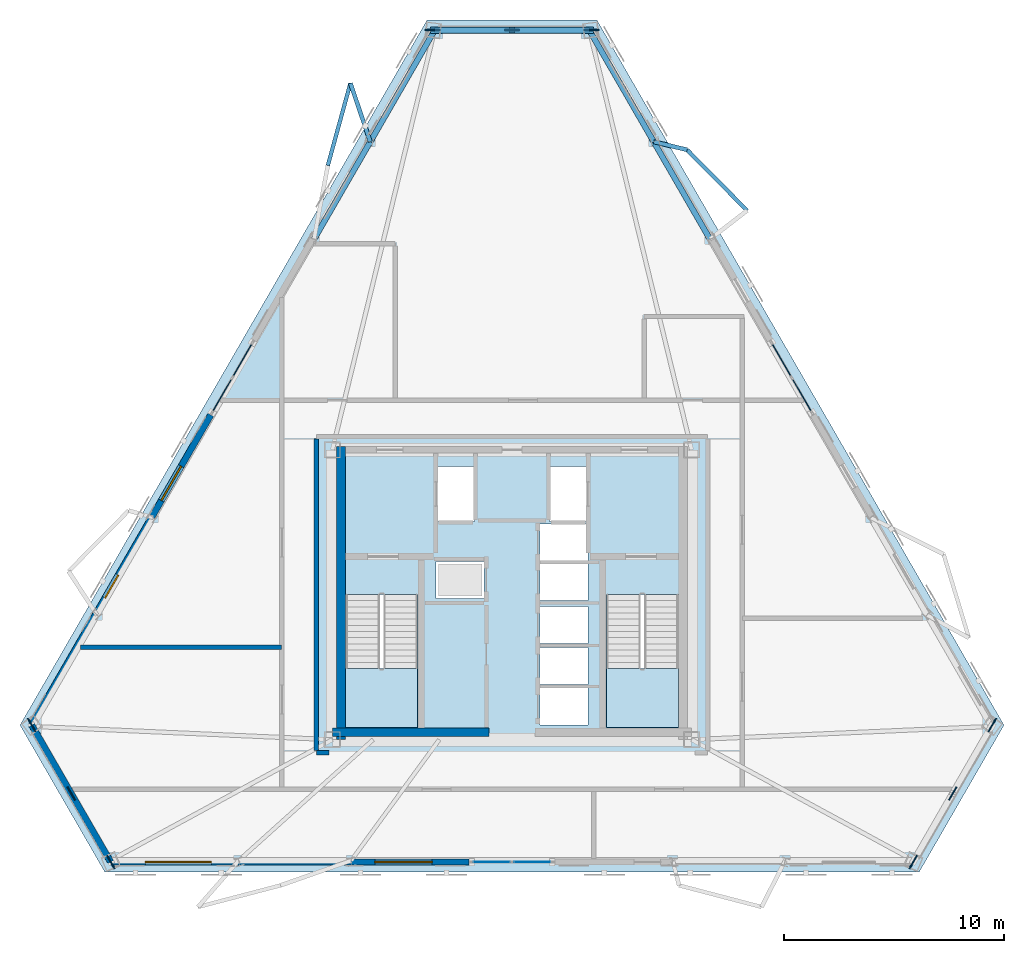
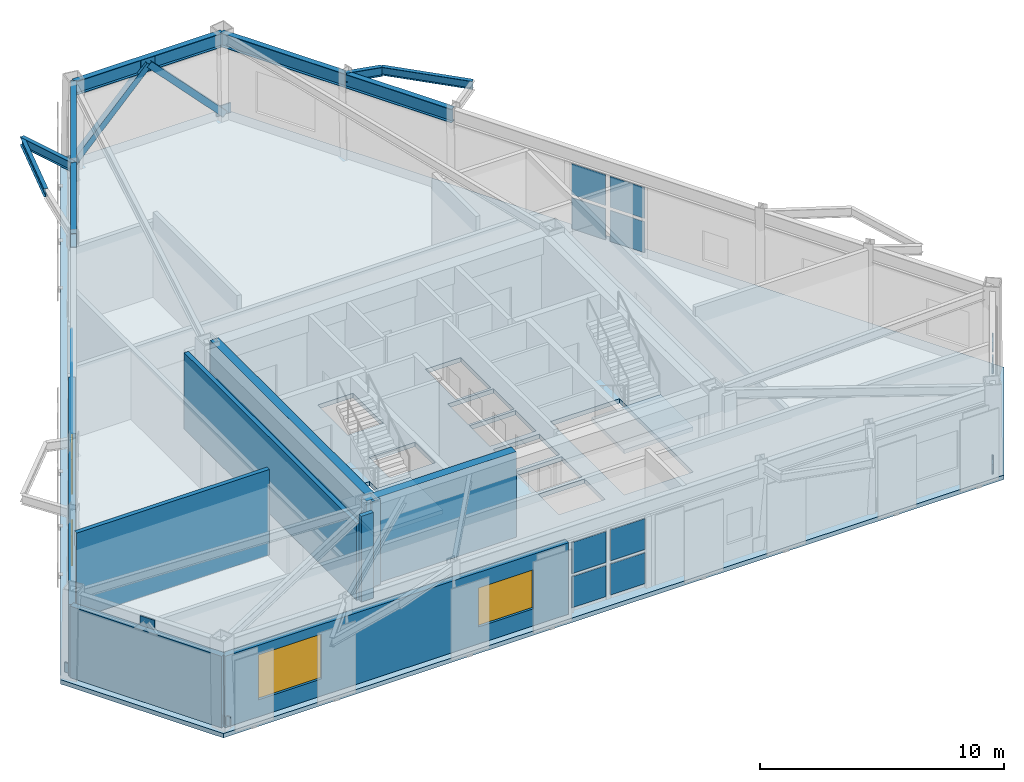
# One storey, part 7 of 14: 21 plates, 9 beams, 8 walls, 4 windows, 3 slabs, 2 members, 4 openings, 5 elements without a shape of their own.
"""IFC4 building model written with IfcOpenShell, lengths in metres."""

from ifc_helpers import new_model, si_unit, direction, frame, frame_2d, origin, origin_2d, place, context, subcontext, project, spatial, polyline, rectangle, hollow_rectangle, i_section, outline, extrude, material, layer, layer_set, material_profile, profile_set, type_object, element, fill, aggregate, save


model = new_model("IFC4")

# Units and contexts
model_context = context("Model", 3, precision=1e-05, world=origin(), true_north=direction((0.0, 1.0)))
body_context = subcontext(model_context, "Body", "Model", "MODEL_VIEW")
ifc_project = project(units=[si_unit("LENGTHUNIT", "METRE"), si_unit("AREAUNIT", "SQUARE_METRE"), si_unit("VOLUMEUNIT", "CUBIC_METRE"), si_unit("PLANEANGLEUNIT", "RADIAN"), si_unit("MASSUNIT", "GRAM", prefix="KILO")], contexts=[model_context])

# Site, building, storey
site_placement = place(None, origin())
site = spatial("IfcSite", under=ifc_project, at=site_placement, CompositionType="ELEMENT")
building_placement = place(site_placement, origin())
building = spatial("IfcBuilding", under=site, at=building_placement, Name="Oramaril Tower", CompositionType="ELEMENT")
storey_placement = place(building_placement, frame((0.0, 0.0, 204.60009765625)))
storey = spatial("IfcBuildingStorey", under=building, at=storey_placement, Name="L54", CompositionType="ELEMENT", Elevation=204.60009765625)

# Beams
ifc_material_1 = material(Name="Steel ASTM A572 Gr 50", Category="steel")
ifc_material_profile_1 = material_profile(ifc_material_1, i_section(OverallWidth=0.19091796875, OverallDepth=0.45703125, WebThickness=0.009033203125, FlangeThickness=0.014404296875, at=origin_2d()), Name="W18X50")
ifc_profile_set_1 = profile_set([ifc_material_profile_1], Name="Steel ASTM A572 Gr 50")
beam_type_1 = type_object("IfcBeamType", Name="BT-BB1", PredefinedType="BEAM", material=ifc_profile_set_1)
beam_1_placement = place(storey_placement, frame((43.9296875, 38.12890625, 4.051513671875), z_axis=(0.971561624267, -0.236786845605, 0.0), x_axis=(0.236786845605, 0.971561624267, 0.0)))
element("IfcBeam", 1, at=beam_1_placement, inside=storey, type_object=beam_type_1, Name="L54 Balcony Column-Framed Cantilever 04.2", PredefinedType="BEAM", context=body_context, shape_type="SweptSolid", body=[
    extrude(i_section(OverallWidth=0.19091796875, OverallDepth=0.45703125, WebThickness=0.009033203125, FlangeThickness=0.014404296875, at=origin_2d()), origin(), (0.0, 0.0, 1.0), 1.56005859375),
])
beam_2_placement = place(storey_placement, frame((31.0703125, 38.12890625, 4.051513671875), z_axis=(-0.321762188991, 0.946820518227, 0.0), x_axis=(-0.946820518227, -0.321762188991, 0.0)))
element("IfcBeam", 2, at=beam_2_placement, inside=storey, type_object=beam_type_1, Name="L54 Balcony Column-Framed Cantilever 05.1", PredefinedType="BEAM", context=body_context, shape_type="SweptSolid", body=[
    extrude(i_section(OverallWidth=0.19091796875, OverallDepth=0.45703125, WebThickness=0.009033203125, FlangeThickness=0.014404296875, at=origin_2d()), origin(), (0.0, 0.0, 1.0), 2.802978515625),
])
ifc_material_2 = material(Name="Steel ASTM A572 Gr 50", Category="steel")
ifc_material_profile_2 = material_profile(ifc_material_2, i_section(OverallWidth=0.177978515625, OverallDepth=0.404052734375, WebThickness=0.007568359375, FlangeThickness=0.010986328125, at=origin_2d()), Name="W16X36")
ifc_profile_set_2 = profile_set([ifc_material_profile_2], Name="Steel ASTM A572 Gr 50")
beam_type_2 = type_object("IfcBeamType", Name="BT-SB1", PredefinedType="BEAM", material=ifc_profile_set_2)
for number, where, z_axis, x_axis, name in (
    (3, (48.166015625, 35.007080078125, 4.077880859375), (-0.702994511648, 0.71119527318, 0.0), (-0.71119527318, -0.702994511648, 0.0), "L54 Balcony Edge Tie Beam 04"),
    (4, (30.16845703125, 40.78271484375, 4.077880859375), (-0.264440915482, -0.964401888332, 0.0), (0.964401888332, -0.264440915482, 0.0), "L54 Balcony Edge Tie Beam 05"),
):
    element("IfcBeam", number, at=place(storey_placement, frame(where, z_axis=z_axis, x_axis=x_axis)), inside=storey, type_object=beam_type_2, Name=name, PredefinedType="BEAM", context=body_context, shape_type="SweptSolid", body=[
        extrude(i_section(OverallWidth=0.177978515625, OverallDepth=0.404052734375, WebThickness=0.007568359375, FlangeThickness=0.010986328125, at=origin_2d()), origin(), (0.0, 0.0, 1.0), 3.8701171875),
    ])
ifc_material_3 = material(Name="Steel ASTM A572 Gr 50", Category="steel")
ifc_material_profile_3 = material_profile(ifc_material_3, i_section(OverallWidth=0.257080078125, OverallDepth=0.693115234375, WebThickness=0.014404296875, FlangeThickness=0.023681640625, at=origin_2d()), Name="W27X114")
ifc_profile_set_3 = profile_set([ifc_material_profile_3], Name="Steel ASTM A572 Gr 50")
beam_type_3 = type_object("IfcBeamType", Name="BT-SP4", PredefinedType="SPANDREL", material=ifc_profile_set_3)
beam_3_placement = place(storey_placement, frame((46.482421875, 33.70751953125, 3.933349609375), z_axis=(-0.5000066933, 0.866021539371, 0.0), x_axis=(-0.866021539371, -0.5000066933, 0.0)))
element("IfcBeam", 5, at=beam_3_placement, inside=storey, type_object=beam_type_3, Name="L54 Perimeter Spandrel 11", PredefinedType="SPANDREL", context=body_context, shape_type="SweptSolid", body=[
    extrude(i_section(OverallWidth=0.257080078125, OverallDepth=0.693115234375, WebThickness=0.014404296875, FlangeThickness=0.023681640625, at=origin_2d()), origin(), (0.0, 0.0, 1.0), 5.10546875),
])
beam_4_placement = place(storey_placement, frame((43.9296875, 38.12890625, 3.933349609375), z_axis=(-0.500018247791, 0.866014868161, 0.0), x_axis=(-0.866014868161, -0.500018247791, 0.0)))
element("IfcBeam", 6, at=beam_4_placement, inside=storey, type_object=beam_type_3, Name="L54 Perimeter Spandrel 12", PredefinedType="SPANDREL", context=body_context, shape_type="SweptSolid", body=[
    extrude(i_section(OverallWidth=0.257080078125, OverallDepth=0.693115234375, WebThickness=0.014404296875, FlangeThickness=0.023681640625, at=origin_2d()), origin(), (0.0, 0.0, 1.0), 5.834716796875),
])
beam_5_placement = place(storey_placement, frame((41.01220703125, 43.181884765625, 3.933349609375), z_axis=(-1.0, 0.0, 0.0), x_axis=(0.0, -1.0, 0.0)))
element("IfcBeam", 7, at=beam_5_placement, inside=storey, type_object=beam_type_3, Name="L54 Perimeter Spandrel 13", PredefinedType="SPANDREL", context=body_context, shape_type="SweptSolid", body=[
    extrude(i_section(OverallWidth=0.257080078125, OverallDepth=0.693115234375, WebThickness=0.014404296875, FlangeThickness=0.023681640625, at=origin_2d()), origin(), (0.0, 0.0, 1.0), 7.0244140625),
])
beam_6_placement = place(storey_placement, frame((33.98779296875, 43.181884765625, 3.933349609375), z_axis=(-0.500018247791, -0.866014868161, 0.0), x_axis=(0.866014868161, -0.500018247791, 0.0)))
element("IfcBeam", 8, at=beam_6_placement, inside=storey, type_object=beam_type_3, Name="L54 Perimeter Spandrel 14", PredefinedType="SPANDREL", context=body_context, shape_type="SweptSolid", body=[
    extrude(i_section(OverallWidth=0.257080078125, OverallDepth=0.693115234375, WebThickness=0.014404296875, FlangeThickness=0.023681640625, at=origin_2d()), origin(), (0.0, 0.0, 1.0), 5.834716796875),
])
beam_7_placement = place(storey_placement, frame((31.0703125, 38.12890625, 3.933349609375), z_axis=(-0.5000066933, -0.866021539371, 0.0), x_axis=(0.866021539371, -0.5000066933, 0.0)))
element("IfcBeam", 9, at=beam_7_placement, inside=storey, type_object=beam_type_3, Name="L54 Perimeter Spandrel 15", PredefinedType="SPANDREL", context=body_context, shape_type="SweptSolid", body=[
    extrude(i_section(OverallWidth=0.257080078125, OverallDepth=0.693115234375, WebThickness=0.014404296875, FlangeThickness=0.023681640625, at=origin_2d()), origin(), (0.0, 0.0, 1.0), 5.10546875),
])

# Members
ifc_material_4 = material(Name="Steel ASTM A572 Gr 50", Category="steel")
ifc_material_profile_4 = material_profile(ifc_material_4, hollow_rectangle(XDim=0.300048828125, YDim=0.300048828125, WallThickness=0.01611328125, at=origin_2d()), Name="HSS300X300X16")
ifc_profile_set_4 = profile_set([ifc_material_profile_4], Name="Steel ASTM A572 Gr 50")
member_type = type_object("IfcMemberType", Name="MT-KB2", PredefinedType="BRACE", material=ifc_profile_set_4)
for number, where, z_axis, x_axis, name in (
    (10, (41.08544921875, 43.191162109375, 0.179931640625), (-0.690741938014, 0.0, 0.723101358779), (0.0, -1.0, 0.0), "L54 Perimeter Chevron Brace KB-3A"),
    (11, (33.91455078125, 43.191162109375, 0.179931640625), (0.690741938014, 0.0, 0.723101358779), (0.0, 1.0, 0.0), "L54 Perimeter Chevron Brace KB-3B"),
):
    element("IfcMember", number, at=place(storey_placement, frame(where, z_axis=z_axis, x_axis=x_axis)), inside=storey, type_object=member_type, Name=name, PredefinedType="BRACE", context=body_context, shape_type="SweptSolid", body=[
        extrude(hollow_rectangle(XDim=0.300048828125, YDim=0.300048828125, WallThickness=0.01611328125, at=origin_2d()), origin(), (0.0, 0.0, 1.0), 5.190673828125),
    ])

# Curtain wall, plates
ifc_material_5 = material(Name="Anodised Aluminium 6063-T6", Category="aluminium")
ifc_layer_1 = layer(ifc_material_5, 0.219970703125)
ifc_layer_set_1 = layer_set([ifc_layer_1], Name="CWT-SYS5")
curtain_wall_type = type_object("IfcCurtainWallType", Name="CWT-SYS5", PredefinedType="NOTDEFINED", material=ifc_layer_set_1)
curtain_wall_1_placement = place(storey_placement, origin())
curtain_wall_1 = element("IfcCurtainWall", 12, at=curtain_wall_1_placement, inside=storey, type_object=curtain_wall_type, Name="L54 Unitised Curtain Wall CW-5", PredefinedType="NOTDEFINED")
ifc_material_6 = material(Name="Coastal Low-E Insulated Glass", Category="glass")
ifc_layer_2 = layer(ifc_material_6, 0.0400390625)
ifc_layer_set_2 = layer_set([ifc_layer_2], Name="PLT-CWP4")
plate_type_1 = type_object("IfcPlateType", Name="PLT-CWP4", PredefinedType="CURTAIN_PANEL", material=ifc_layer_set_2)
plate_1_placement = place(storey_placement, frame((36.580078125, 5.44921875, 0.15966796875), z_axis=(0.0, 0.0, 1.0), x_axis=(1.0, 0.0, 0.0)))
plate_1 = element("IfcPlate", 13, at=plate_1_placement, type_object=plate_type_1, Name="CW-5 panel 1.1", PredefinedType="CURTAIN_PANEL", context=body_context, shape_type="SweptSolid", body=[
    extrude(rectangle(XDim=1.6201171875, YDim=0.0400390625, at=origin_2d()), origin(), (0.0, 0.0, 1.0), 1.548583984375),
])
plate_2_placement = place(storey_placement, frame((36.580078125, 5.44921875, 1.8681640625), z_axis=(0.0, 0.0, 1.0), x_axis=(1.0, 0.0, 0.0)))
plate_2 = element("IfcPlate", 14, at=plate_2_placement, type_object=plate_type_1, Name="CW-5 panel 1.2", PredefinedType="CURTAIN_PANEL", context=body_context, shape_type="SweptSolid", body=[
    extrude(rectangle(XDim=1.6201171875, YDim=0.0400390625, at=origin_2d()), origin(), (0.0, 0.0, 1.0), 1.548583984375),
])
plate_3_placement = place(storey_placement, frame((38.419921875, 5.44921875, 0.15966796875), z_axis=(0.0, 0.0, 1.0), x_axis=(1.0, 0.0, 0.0)))
plate_3 = element("IfcPlate", 15, at=plate_3_placement, type_object=plate_type_1, Name="CW-5 panel 2.1", PredefinedType="CURTAIN_PANEL", context=body_context, shape_type="SweptSolid", body=[
    extrude(rectangle(XDim=1.6201171875, YDim=0.0400390625, at=origin_2d()), origin(), (0.0, 0.0, 1.0), 1.548583984375),
])
plate_4_placement = place(storey_placement, frame((38.419921875, 5.44921875, 1.8681640625), z_axis=(0.0, 0.0, 1.0), x_axis=(1.0, 0.0, 0.0)))
plate_4 = element("IfcPlate", 16, at=plate_4_placement, type_object=plate_type_1, Name="CW-5 panel 2.2", PredefinedType="CURTAIN_PANEL", context=body_context, shape_type="SweptSolid", body=[
    extrude(rectangle(XDim=1.6201171875, YDim=0.0400390625, at=origin_2d()), origin(), (0.0, 0.0, 1.0), 1.548583984375),
])
aggregate(curtain_wall_1, [plate_1, plate_2, plate_3, plate_4])

curtain_wall_2_placement = place(storey_placement, origin())
curtain_wall_2 = element("IfcCurtainWall", 17, at=curtain_wall_2_placement, inside=storey, type_object=curtain_wall_type, Name="L54 Unitised Curtain Wall CW-5", PredefinedType="NOTDEFINED")
plate_5_placement = place(storey_placement, frame((50.64794921875, 26.628662109375, 0.15966796875), z_axis=(0.0, 0.0, 1.0), x_axis=(-0.499999897278, 0.866025463091, 0.0)))
plate_5 = element("IfcPlate", 18, at=plate_5_placement, type_object=plate_type_1, Name="CW-5 panel 1.1", PredefinedType="CURTAIN_PANEL", context=body_context, shape_type="SweptSolid", body=[
    extrude(rectangle(XDim=1.6201171875, YDim=0.0400390625, at=origin_2d()), origin(), (0.0, 0.0, 1.0), 1.548583984375),
])
plate_6_placement = place(storey_placement, frame((50.64794921875, 26.628662109375, 1.8681640625), z_axis=(0.0, 0.0, 1.0), x_axis=(-0.499999897278, 0.866025463091, 0.0)))
plate_6 = element("IfcPlate", 19, at=plate_6_placement, type_object=plate_type_1, Name="CW-5 panel 1.2", PredefinedType="CURTAIN_PANEL", context=body_context, shape_type="SweptSolid", body=[
    extrude(rectangle(XDim=1.6201171875, YDim=0.0400390625, at=origin_2d()), origin(), (0.0, 0.0, 1.0), 1.548583984375),
])
plate_7_placement = place(storey_placement, frame((49.727783203125, 28.22216796875, 0.15966796875), z_axis=(0.0, 0.0, 1.0), x_axis=(-0.499999897278, 0.866025463091, 0.0)))
plate_7 = element("IfcPlate", 20, at=plate_7_placement, type_object=plate_type_1, Name="CW-5 panel 2.1", PredefinedType="CURTAIN_PANEL", context=body_context, shape_type="SweptSolid", body=[
    extrude(rectangle(XDim=1.6201171875, YDim=0.0400390625, at=origin_2d()), origin(), (0.0, 0.0, 1.0), 1.548583984375),
])
plate_8_placement = place(storey_placement, frame((49.727783203125, 28.22216796875, 1.8681640625), z_axis=(0.0, 0.0, 1.0), x_axis=(-0.499999897278, 0.866025463091, 0.0)))
plate_8 = element("IfcPlate", 21, at=plate_8_placement, type_object=plate_type_1, Name="CW-5 panel 2.2", PredefinedType="CURTAIN_PANEL", context=body_context, shape_type="SweptSolid", body=[
    extrude(rectangle(XDim=1.6201171875, YDim=0.0400390625, at=origin_2d()), origin(), (0.0, 0.0, 1.0), 1.548583984375),
])
aggregate(curtain_wall_2, [plate_5, plate_6, plate_7, plate_8])

curtain_wall_3_placement = place(storey_placement, origin())
curtain_wall_3 = element("IfcCurtainWall", 22, at=curtain_wall_3_placement, inside=storey, type_object=curtain_wall_type, Name="L54 Unitised Curtain Wall CW-5", PredefinedType="NOTDEFINED")
plate_9_placement = place(storey_placement, frame((25.272216796875, 28.22216796875, 0.15966796875), z_axis=(0.0, 0.0, 1.0), x_axis=(-0.499999897278, -0.866025463091, 0.0)))
plate_9 = element("IfcPlate", 23, at=plate_9_placement, type_object=plate_type_1, Name="CW-5 panel 1.1", PredefinedType="CURTAIN_PANEL", context=body_context, shape_type="SweptSolid", body=[
    extrude(rectangle(XDim=1.6201171875, YDim=0.0400390625, at=origin_2d()), origin(), (0.0, 0.0, 1.0), 1.548583984375),
])
plate_10_placement = place(storey_placement, frame((25.272216796875, 28.22216796875, 1.8681640625), z_axis=(0.0, 0.0, 1.0), x_axis=(-0.499999897278, -0.866025463091, 0.0)))
plate_10 = element("IfcPlate", 24, at=plate_10_placement, type_object=plate_type_1, Name="CW-5 panel 1.2", PredefinedType="CURTAIN_PANEL", context=body_context, shape_type="SweptSolid", body=[
    extrude(rectangle(XDim=1.6201171875, YDim=0.0400390625, at=origin_2d()), origin(), (0.0, 0.0, 1.0), 1.548583984375),
])
plate_11_placement = place(storey_placement, frame((24.35205078125, 26.628662109375, 0.15966796875), z_axis=(0.0, 0.0, 1.0), x_axis=(-0.499999897278, -0.866025463091, 0.0)))
plate_11 = element("IfcPlate", 25, at=plate_11_placement, type_object=plate_type_1, Name="CW-5 panel 2.1", PredefinedType="CURTAIN_PANEL", context=body_context, shape_type="SweptSolid", body=[
    extrude(rectangle(XDim=1.6201171875, YDim=0.0400390625, at=origin_2d()), origin(), (0.0, 0.0, 1.0), 1.548583984375),
])
plate_12_placement = place(storey_placement, frame((24.35205078125, 26.628662109375, 1.8681640625), z_axis=(0.0, 0.0, 1.0), x_axis=(-0.499999897278, -0.866025463091, 0.0)))
plate_12 = element("IfcPlate", 26, at=plate_12_placement, type_object=plate_type_1, Name="CW-5 panel 2.2", PredefinedType="CURTAIN_PANEL", context=body_context, shape_type="SweptSolid", body=[
    extrude(rectangle(XDim=1.6201171875, YDim=0.0400390625, at=origin_2d()), origin(), (0.0, 0.0, 1.0), 1.548583984375),
])
aggregate(curtain_wall_3, [plate_9, plate_10, plate_11, plate_12])

# Plates
ifc_material_7 = material(Name="Steel ASTM A572 Gr 50", Category="steel")
ifc_layer_3 = layer(ifc_material_7, 0.06005859375)
ifc_layer_set_3 = layer_set([ifc_layer_3], Name="PLT-G60")
plate_type_2 = type_object("IfcPlateType", Name="PLT-G60", PredefinedType="USERDEFINED", material=ifc_layer_set_3)
for number, where, z_axis, x_axis, name in (
    (27, (17.50244140625, 8.554443359375, 3.693359375), (0.0, 0.0, 1.0), (0.4999984885, -0.866026276448, 0.0), "L54 Chevron Brace Gusset Plate BN-1"),
    (28, (15.709716796875, 11.65966796875, 0.099853515625), (0.0, 0.0, 1.0), (0.4999984885, -0.866026276448, 0.0), "L54 Chevron Brace Gusset Plate BN-1"),
    (29, (19.295166015625, 5.44921875, 0.099853515625), (0.0, 0.0, 1.0), (0.4999984885, -0.866026276448, 0.0), "L54 Chevron Brace Gusset Plate BN-1"),
    (30, (57.49755859375, 8.554443359375, 3.693359375), (0.0, 0.0, 1.0), (0.4999984885, 0.866026276448, 0.0), "L54 Chevron Brace Gusset Plate BN-1"),
    (31, (55.704833984375, 5.44921875, 0.099853515625), (0.0, 0.0, 1.0), (0.4999984885, 0.866026276448, 0.0), "L54 Chevron Brace Gusset Plate BN-1"),
    (32, (59.290283203125, 11.65966796875, 0.099853515625), (0.0, 0.0, 1.0), (0.4999984885, 0.866026276448, 0.0), "L54 Chevron Brace Gusset Plate BN-1"),
    (33, (37.5, 43.191162109375, 3.693359375), (0.0, 0.0, 1.0), (-1.0, 0.0, 0.0), "L54 Chevron Brace Gusset Plate BN-1"),
    (34, (41.08544921875, 43.191162109375, 0.099853515625), (0.0, 0.0, 1.0), (-1.0, 0.0, 0.0), "L54 Chevron Brace Gusset Plate BN-1"),
    (35, (33.91455078125, 43.191162109375, 0.099853515625), (0.0, 0.0, 1.0), (-1.0, 0.0, 0.0), "L54 Chevron Brace Gusset Plate BN-1"),
):
    element("IfcPlate", number, at=place(storey_placement, frame(where, z_axis=z_axis, x_axis=x_axis)), inside=storey, type_object=plate_type_2, Name=name, ObjectType="GUSSET", PredefinedType="USERDEFINED", context=body_context, shape_type="SweptSolid", body=[
        extrude(rectangle(XDim=0.679931640625, YDim=0.06005859375, at=origin_2d()), origin(), (0.0, 0.0, 1.0), 0.47998046875),
    ])

# Slab
ifc_material_8 = material(Name="Concrete C50/60", Category="concrete")
ifc_layer_4 = layer(ifc_material_8, 0.219970703125)
ifc_layer_set_4 = layer_set([ifc_layer_4], Name="SLT-FLR22")
slab_type_1 = type_object("IfcSlabType", Name="SLT-FLR22", PredefinedType="FLOOR", material=ifc_layer_set_4)
slab_1_placement = place(storey_placement, frame((0.0, 0.0, -0.22021484375)))
element("IfcSlab", 36, at=slab_1_placement, inside=storey, type_object=slab_type_1, Name="L54 Structural Floor Slab", PredefinedType="FLOOR", context=body_context, shape_type="SweptSolid", body=[
    extrude(outline(polyline([(15.178466796875, 11.65966796875), (19.029541015625, 4.9892578125), (55.970458984375, 4.9892578125), (59.821533203125, 11.65966796875), (41.35107421875, 43.651123046875), (33.64892578125, 43.651123046875), (15.178466796875, 11.65966796875)]), holes=[polyline([(29.949951171875, 17.58935546875), (29.949951171875, 11.550048828125), (33.219970703125, 11.550048828125), (33.219970703125, 17.58935546875), (29.949951171875, 17.58935546875)]), polyline([(41.780029296875, 17.58935546875), (41.780029296875, 11.550048828125), (45.050048828125, 11.550048828125), (45.050048828125, 17.58935546875), (41.780029296875, 17.58935546875)]), polyline([(34.110107421875, 20.909912109375), (35.7900390625, 20.909912109375), (35.7900390625, 23.389892578125), (34.110107421875, 23.389892578125), (34.110107421875, 20.909912109375)]), polyline([(39.2099609375, 20.909912109375), (40.889892578125, 20.909912109375), (40.889892578125, 23.389892578125), (39.2099609375, 23.389892578125), (39.2099609375, 20.909912109375)]), polyline([(38.760009765625, 11.659912109375), (40.93994140625, 11.659912109375), (40.93994140625, 13.340087890625), (38.760009765625, 13.340087890625), (38.760009765625, 11.659912109375)]), polyline([(38.760009765625, 13.510009765625), (40.93994140625, 13.510009765625), (40.93994140625, 15.18994140625), (38.760009765625, 15.18994140625), (38.760009765625, 13.510009765625)]), polyline([(38.760009765625, 15.360107421875), (40.93994140625, 15.360107421875), (40.93994140625, 17.0400390625), (38.760009765625, 17.0400390625), (38.760009765625, 15.360107421875)]), polyline([(34.06005859375, 17.409912109375), (36.239990234375, 17.409912109375), (36.239990234375, 19.090087890625), (34.06005859375, 19.090087890625), (34.06005859375, 17.409912109375)]), polyline([(38.760009765625, 17.31005859375), (40.93994140625, 17.31005859375), (40.93994140625, 18.989990234375), (38.760009765625, 18.989990234375), (38.760009765625, 17.31005859375)]), polyline([(38.760009765625, 19.110107421875), (40.93994140625, 19.110107421875), (40.93994140625, 20.7900390625), (38.760009765625, 20.7900390625), (38.760009765625, 19.110107421875)])]), origin(), (0.0, 0.0, 1.0), 0.22021484375),
])

# Stair, slab
ifc_material_9 = material(Name="Concrete C50/60", Category="concrete")
stair_type = type_object("IfcStairType", Name="STT-DG-4500", PredefinedType="HALF_TURN_STAIR", material=ifc_material_9)
stair_1_placement = place(storey_placement, origin())
stair_1 = element("IfcStair", 37, at=stair_1_placement, inside=storey, type_object=stair_type, Name="L54 Protected PFP Exit Stair ST-1", PredefinedType="HALF_TURN_STAIR")
ifc_material_10 = material(Name="Concrete C50/60", Category="concrete")
ifc_layer_5 = layer(ifc_material_10, 0.199951171875)
ifc_layer_set_5 = layer_set([ifc_layer_5], Name="SLT-LND20")
slab_type_2 = type_object("IfcSlabType", Name="SLT-LND20", PredefinedType="LANDING", material=ifc_layer_set_5)
slab_2_placement = place(storey_placement, frame((0.0, 0.0, 2.0498046875)))
slab_2 = element("IfcSlab", 38, at=slab_2_placement, type_object=slab_type_2, Name="ST-1 landing 1", PredefinedType="LANDING", context=body_context, shape_type="SweptSolid", body=[
    extrude(outline(polyline([(29.949951171875, 14.22998046875), (29.949951171875, 11.550048828125), (33.219970703125, 11.550048828125), (33.219970703125, 14.22998046875), (29.949951171875, 14.22998046875)])), origin(), (0.0, 0.0, 1.0), 0.2001953125),
])
aggregate(stair_1, [slab_2])

stair_2_placement = place(storey_placement, origin())
stair_2 = element("IfcStair", 39, at=stair_2_placement, inside=storey, type_object=stair_type, Name="L54 Protected PFP Exit Stair ST-2", PredefinedType="HALF_TURN_STAIR")
slab_3_placement = place(storey_placement, frame((0.0, 0.0, 2.0498046875)))
slab_3 = element("IfcSlab", 40, at=slab_3_placement, type_object=slab_type_2, Name="ST-2 landing 1", PredefinedType="LANDING", context=body_context, shape_type="SweptSolid", body=[
    extrude(outline(polyline([(41.780029296875, 14.22998046875), (41.780029296875, 11.550048828125), (45.050048828125, 11.550048828125), (45.050048828125, 14.22998046875), (41.780029296875, 14.22998046875)])), origin(), (0.0, 0.0, 1.0), 0.2001953125),
])
aggregate(stair_2, [slab_3])

# Wall
ifc_material_11 = material(Name="Warm Cream Limestone", Category="masonry")
ifc_layer_6 = layer(ifc_material_11, 0.2900390625)
ifc_layer_set_6 = layer_set([ifc_layer_6], Name="WT-EXT29")
wall_type_1 = type_object("IfcWallType", Name="WT-EXT29", PredefinedType="SOLIDWALL", material=ifc_layer_set_6)
wall_1_placement = place(storey_placement, frame((15.709716796875, 11.65966796875, 0.0), z_axis=(0.0, 0.0, 1.0), x_axis=(0.499983756713, -0.866034781647, 0.0)))
element("IfcWall", 41, at=wall_1_placement, inside=storey, type_object=wall_type_1, Name="L54 Tower Limestone Facade Wall 1M", PredefinedType="SOLIDWALL", context=body_context, shape_type="SweptSolid", body=[
    extrude(rectangle(XDim=7.171142578125, YDim=0.2900390625, at=frame_2d((3.58544921875, 0.0))), origin(), (0.0, 0.0, 1.0), 3.576904296875),
])

# Wall, openings, windows
wall_2_placement = place(storey_placement, frame((19.295166015625, 5.44921875, 0.0), z_axis=(0.0, 0.0, 1.0), x_axis=(1.0, 0.0, 0.0)))
wall_2 = element("IfcWall", 42, at=wall_2_placement, inside=storey, type_object=wall_type_1, Name="L54 Tower Limestone Facade Wall 2L", PredefinedType="SOLIDWALL", context=body_context, shape_type="SweptSolid", body=[
    extrude(rectangle(XDim=16.2548828125, YDim=0.2900390625, at=frame_2d((8.12744140625, 0.0))), origin(), (0.0, 0.0, 1.0), 3.576904296875),
])
opening_1_placement = place(wall_2_placement, frame((1.5693359375, 0.0, 0.85009765625)))
opening_1 = element("IfcOpeningElement", 43, at=opening_1_placement, cuts=wall_2, Name="Opening WN-10", PredefinedType="OPENING", context=body_context, shape_type="SweptSolid", body=[
    extrude(rectangle(XDim=3.0, YDim=2.25, at=frame_2d((1.5, 1.125))), frame((0.0, 0.14501953125, 0.0), z_axis=(0.0, -1.0, 0.0), x_axis=(1.0, 0.0, 0.0)), (0.0, 0.0, 1.0), 0.2900390625),
])
opening_2_placement = place(wall_2_placement, frame((11.9853515625, 0.0, 0.85009765625)))
opening_2 = element("IfcOpeningElement", 44, at=opening_2_placement, cuts=wall_2, Name="Opening WN-02", PredefinedType="OPENING", context=body_context, shape_type="SweptSolid", body=[
    extrude(rectangle(XDim=2.60009765625, YDim=1.949951171875, at=frame_2d((1.300048828125, 0.97509765625))), frame((0.0, 0.14501953125, 0.0), z_axis=(0.0, -1.0, 0.0), x_axis=(1.0, 0.0, 0.0)), (0.0, 0.0, 1.0), 0.2900390625),
])
ifc_material_12 = material(Name="Coastal Low-E Insulated Glass", Category="glass")
window_type_1 = type_object("IfcWindowType", Name="WNT-02", PartitioningType="SINGLE_PANEL", PredefinedType="WINDOW", material=ifc_material_12)
window_1_placement = place(opening_2_placement, origin())
window_1 = element("IfcWindow", 45, at=window_1_placement, inside=storey, type_object=window_type_1, Name="L54 Chicago Bay Window WN-02", OverallHeight=1.949951171875, OverallWidth=2.60009765625, PartitioningType="SINGLE_PANEL", PredefinedType="WINDOW", context=body_context, shape_type="SweptSolid", body=[
    extrude(rectangle(XDim=2.60009765625, YDim=1.949951171875, at=frame_2d((1.300048828125, 0.97509765625))), frame((0.0, 0.030029296875, 0.0), z_axis=(0.0, -1.0, 0.0), x_axis=(1.0, 0.0, 0.0)), (0.0, 0.0, 1.0), 0.06005859375),
])
fill(opening_2, window_1)
ifc_material_13 = material(Name="Coastal Low-E Insulated Glass", Category="glass")
window_type_2 = type_object("IfcWindowType", Name="WNT-10", PartitioningType="SINGLE_PANEL", PredefinedType="WINDOW", material=ifc_material_13)
window_2_placement = place(opening_1_placement, origin())
window_2 = element("IfcWindow", 46, at=window_2_placement, inside=storey, type_object=window_type_2, Name="L54 Chicago Bay Window WN-10", OverallHeight=2.25, OverallWidth=3.0, PartitioningType="SINGLE_PANEL", PredefinedType="WINDOW", context=body_context, shape_type="SweptSolid", body=[
    extrude(rectangle(XDim=3.0, YDim=2.25, at=frame_2d((1.5, 1.125))), frame((0.0, 0.030029296875, 0.0), z_axis=(0.0, -1.0, 0.0), x_axis=(1.0, 0.0, 0.0)), (0.0, 0.0, 1.0), 0.06005859375),
])
fill(opening_1, window_2)

wall_3_placement = place(storey_placement, frame((23.837158203125, 25.736572265625, 0.0), z_axis=(0.0, 0.0, 1.0), x_axis=(-0.500006317603, -0.866021756284, 0.0)))
wall_3 = element("IfcWall", 47, at=wall_3_placement, inside=storey, type_object=wall_type_1, Name="L54 Tower Limestone Facade Wall 6R", PredefinedType="SOLIDWALL", context=body_context, shape_type="SweptSolid", body=[
    extrude(rectangle(XDim=16.254638671875, YDim=0.2900390625, at=frame_2d((8.12744140625, 0.0))), origin(), (0.0, 0.0, 1.0), 3.576904296875),
])
opening_3_placement = place(wall_3_placement, frame((2.688232421875, 0.0, 0.85009765625)))
opening_3 = element("IfcOpeningElement", 48, at=opening_3_placement, cuts=wall_3, Name="Opening WN-06", PredefinedType="OPENING", context=body_context, shape_type="SweptSolid", body=[
    extrude(rectangle(XDim=1.800048828125, YDim=1.75, at=frame_2d((0.89990234375, 0.875))), frame((0.0, 0.14501953125, 0.0), z_axis=(0.0, -1.0, 0.0), x_axis=(1.0, 0.0, 0.0)), (0.0, 0.0, 1.0), 0.2900390625),
])
opening_4_placement = place(wall_3_placement, frame((8.3955078125, 0.0, 0.85009765625)))
opening_4 = element("IfcOpeningElement", 49, at=opening_4_placement, cuts=wall_3, Name="Opening WN-09", PredefinedType="OPENING", context=body_context, shape_type="SweptSolid", body=[
    extrude(rectangle(XDim=1.199951171875, YDim=1.47998046875, at=frame_2d((0.60009765625, 0.739990234375))), frame((0.0, 0.14501953125, 0.0), z_axis=(0.0, -1.0, 0.0), x_axis=(1.0, 0.0, 0.0)), (0.0, 0.0, 1.0), 0.2900390625),
])
ifc_material_14 = material(Name="Coastal Low-E Insulated Glass", Category="glass")
window_type_3 = type_object("IfcWindowType", Name="WNT-06", PartitioningType="SINGLE_PANEL", PredefinedType="WINDOW", material=ifc_material_14)
window_3_placement = place(opening_3_placement, origin())
window_3 = element("IfcWindow", 50, at=window_3_placement, inside=storey, type_object=window_type_3, Name="L54 Chicago Bay Window WN-06", OverallHeight=1.75, OverallWidth=1.800048828125, PartitioningType="SINGLE_PANEL", PredefinedType="WINDOW", context=body_context, shape_type="SweptSolid", body=[
    extrude(rectangle(XDim=1.800048828125, YDim=1.75, at=frame_2d((0.89990234375, 0.875))), frame((0.0, 0.030029296875, 0.0), z_axis=(0.0, -1.0, 0.0), x_axis=(1.0, 0.0, 0.0)), (0.0, 0.0, 1.0), 0.06005859375),
])
fill(opening_3, window_3)
ifc_material_15 = material(Name="Coastal Low-E Insulated Glass", Category="glass")
window_type_4 = type_object("IfcWindowType", Name="WNT-09", PartitioningType="SINGLE_PANEL", PredefinedType="WINDOW", material=ifc_material_15)
window_4_placement = place(opening_4_placement, origin())
window_4 = element("IfcWindow", 51, at=window_4_placement, inside=storey, type_object=window_type_4, Name="L54 Chicago Bay Window WN-09", OverallHeight=1.47998046875, OverallWidth=1.199951171875, PartitioningType="SINGLE_PANEL", PredefinedType="WINDOW", context=body_context, shape_type="SweptSolid", body=[
    extrude(rectangle(XDim=1.199951171875, YDim=1.47998046875, at=frame_2d((0.60009765625, 0.739990234375))), frame((0.0, 0.030029296875, 0.0), z_axis=(0.0, -1.0, 0.0), x_axis=(1.0, 0.0, 0.0)), (0.0, 0.0, 1.0), 0.06005859375),
])
fill(opening_4, window_4)

# Walls
ifc_material_16 = material(Name="Autoclaved Cellular Concrete Block", Category="concrete")
ifc_layer_7 = layer(ifc_material_16, 0.199951171875)
ifc_layer_set_7 = layer_set([ifc_layer_7], Name="WT-PT20")
wall_type_2 = type_object("IfcWallType", Name="WT-PT20", PredefinedType="PARTITIONING", material=ifc_layer_set_7)
wall_4_placement = place(storey_placement, frame((28.6201171875, 10.39990234375, 0.0), z_axis=(0.0, 0.0, 1.0), x_axis=(1.0, 0.0, 0.0)))
element("IfcWall", 52, at=wall_4_placement, inside=storey, type_object=wall_type_2, Name="L54 Interior Partition PT-20", PredefinedType="PARTITIONING", context=body_context, shape_type="SweptSolid", body=[
    extrude(rectangle(XDim=0.579833984375, YDim=0.199951171875, at=frame_2d((0.2900390625, 0.0))), origin(), (0.0, 0.0, 1.0), 4.27978515625),
])
wall_5_placement = place(storey_placement, frame((17.92578125, 15.199951171875, 0.0), z_axis=(0.0, 0.0, 1.0), x_axis=(1.0, 0.0, 0.0)))
element("IfcWall", 53, at=wall_5_placement, inside=storey, type_object=wall_type_2, Name="L54 Interior Partition PT-20", PredefinedType="PARTITIONING", context=body_context, shape_type="SweptSolid", body=[
    extrude(rectangle(XDim=9.124267578125, YDim=0.199951171875, at=frame_2d((4.56201171875, 0.0))), origin(), (0.0, 0.0, 1.0), 4.27978515625),
])
wall_6_placement = place(storey_placement, frame((28.6201171875, 10.50390625, 0.0), z_axis=(0.0, 0.0, 1.0), x_axis=(0.0, 1.0, 0.0)))
element("IfcWall", 54, at=wall_6_placement, inside=storey, type_object=wall_type_2, Name="L54 Interior Partition PT-20", PredefinedType="PARTITIONING", context=body_context, shape_type="SweptSolid", body=[
    extrude(rectangle(XDim=14.14208984375, YDim=0.199951171875, at=frame_2d((7.071044921875, 0.0))), origin(), (0.0, 0.0, 1.0), 3.81298828125),
])
ifc_material_17 = material(Name="Concrete C50/60", Category="concrete")
ifc_layer_8 = layer(ifc_material_17, 0.39990234375)
ifc_layer_set_8 = layer_set([ifc_layer_8], Name="WT-SH40")
wall_type_3 = type_object("IfcWallType", Name="WT-SH40", PredefinedType="SHEAR", material=ifc_layer_set_8)
wall_7_placement = place(storey_placement, frame((29.739990234375, 11.0, 0.0), z_axis=(0.0, 0.0, 1.0), x_axis=(0.0, 1.0, 0.0)))
element("IfcWall", 55, at=wall_7_placement, inside=storey, type_object=wall_type_3, Name="L54 Core Shear Wall CW-W", PredefinedType="SHEAR", context=body_context, shape_type="SweptSolid", body=[
    extrude(rectangle(XDim=13.300048828125, YDim=0.39990234375, at=frame_2d((6.64990234375, 0.0))), origin(), (0.0, 0.0, 1.0), 4.27978515625),
])
wall_8_placement = place(storey_placement, frame((29.35009765625, 11.340087890625, 0.0), z_axis=(0.0, 0.0, 1.0), x_axis=(1.0, 0.0, 0.0)))
element("IfcWall", 56, at=wall_8_placement, inside=storey, type_object=wall_type_3, Name="L54 Core Shear Wall CW-SW", PredefinedType="SHEAR", context=body_context, shape_type="SweptSolid", body=[
    extrude(rectangle(XDim=7.099853515625, YDim=0.39990234375, at=frame_2d((3.5498046875, 0.0))), origin(), (0.0, 0.0, 1.0), 4.27978515625),
])

save(model, "model.ifc")
